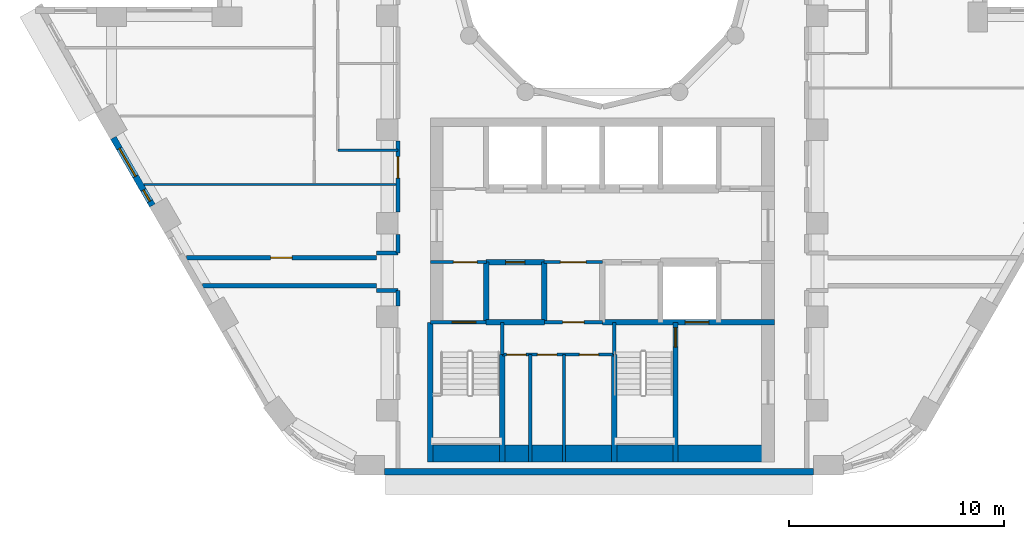
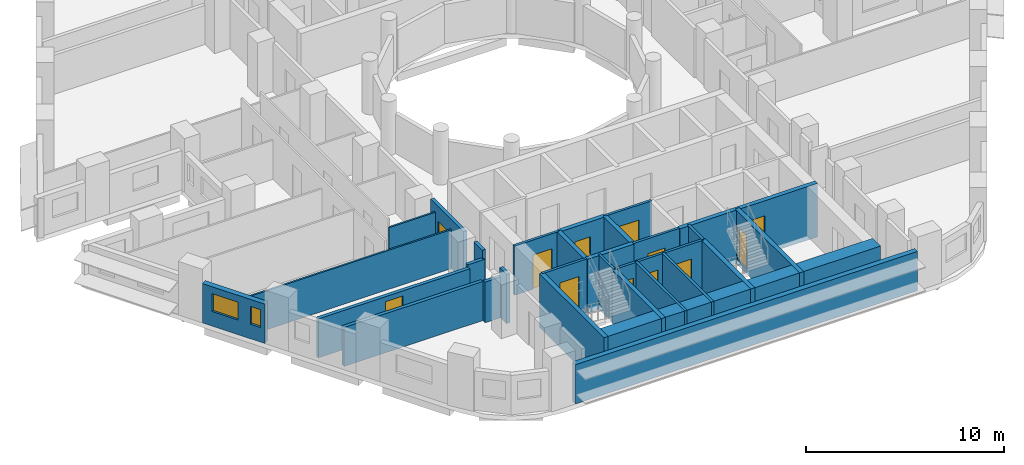
# One storey, part 3 of 12: 30 walls, 12 doors, 2 windows, 14 openings.
"""IFC4 building model written with IfcOpenShell, lengths in metres."""

from ifc_helpers import new_model, si_unit, direction, frame, frame_2d, origin, place, context, subcontext, project, spatial, rectangle, extrude, material, layer, layer_set, type_object, element, fill, save


model = new_model("IFC4")

# Units and contexts
model_context = context("Model", 3, precision=1e-05, world=origin(), true_north=direction((0.0, 1.0)))
body_context = subcontext(model_context, "Body", "Model", "MODEL_VIEW")
ifc_project = project(units=[si_unit("LENGTHUNIT", "METRE"), si_unit("AREAUNIT", "SQUARE_METRE"), si_unit("VOLUMEUNIT", "CUBIC_METRE"), si_unit("PLANEANGLEUNIT", "RADIAN"), si_unit("MASSUNIT", "GRAM", prefix="KILO")], contexts=[model_context])

# Site, building, storey
site_placement = place(None, origin())
site = spatial("IfcSite", under=ifc_project, at=site_placement, CompositionType="ELEMENT")
building_placement = place(site_placement, origin())
building = spatial("IfcBuilding", under=site, at=building_placement, Name="Nakaniwa Court", CompositionType="ELEMENT")
storey_placement = place(building_placement, frame((0.0, 0.0, 94.199951171875)))
storey = spatial("IfcBuildingStorey", under=building, at=storey_placement, Name="L24", CompositionType="ELEMENT", Elevation=94.199951171875)

# Walls
ifc_material_1 = material(Name="Acoustic double stud partition")
ifc_layer_1 = layer(ifc_material_1, 0.199951171875)
ifc_layer_set_1 = layer_set([ifc_layer_1], Name="Acoustic double stud partition")
wall_type_1 = type_object("IfcWallType", Name="Acoustic double stud partition 200", PredefinedType="PARTITIONING", material=ifc_layer_set_1)
wall_1_placement = place(storey_placement, frame((61.4091796875, 64.800048828125, 0.0), z_axis=(0.0, 0.0, 1.0), x_axis=(1.0, 0.0, 0.0)))
element("IfcWall", 1, at=wall_1_placement, inside=storey, type_object=wall_type_1, Name="Partition PW-087", PredefinedType="PARTITIONING", context=body_context, shape_type="SweptSolid", body=[
    extrude(rectangle(XDim=8.0908203125, YDim=0.199951171875, at=frame_2d((4.04541015625, 0.0))), origin(), (0.0, 0.0, 1.0), 2.405029296875),
])
for number, where, z_axis, x_axis, name in (
    (2, (69.5, 64.574951171875, 0.0), (0.0, 0.0, 1.0), (1.0, 0.0, 0.0), "Partition PW-089"),
    (3, (69.5, 66.324951171875, 0.0), (0.0, 0.0, 1.0), (1.0, 0.0, 0.0), "Partition PW-091"),
):
    element("IfcWall", number, at=place(storey_placement, frame(where, z_axis=z_axis, x_axis=x_axis)), inside=storey, type_object=wall_type_1, Name=name, PredefinedType="PARTITIONING", context=body_context, shape_type="SweptSolid", body=[
        extrude(rectangle(XDim=1.0, YDim=0.199951171875, at=frame_2d((0.5, 0.0))), origin(), (0.0, 0.0, 1.0), 2.505126953125),
    ])

# Wall, opening, door
wall_2_placement = place(storey_placement, frame((60.65869140625, 66.10009765625, 0.0), z_axis=(0.0, 0.0, 1.0), x_axis=(1.0, 0.0, 0.0)))
wall_2 = element("IfcWall", 4, at=wall_2_placement, inside=storey, type_object=wall_type_1, Name="Partition PW-093", PredefinedType="PARTITIONING", context=body_context, shape_type="SweptSolid", body=[
    extrude(rectangle(XDim=8.84130859375, YDim=0.199951171875, at=frame_2d((4.420654296875, 0.0))), origin(), (0.0, 0.0, 1.0), 2.405029296875),
])
opening_1_placement = place(wall_2_placement, frame((3.9208984375, 0.0, 0.0)))
opening_1 = element("IfcOpeningElement", 5, at=opening_1_placement, cuts=wall_2, Name="Opening D-02-08", PredefinedType="OPENING", context=body_context, shape_type="SweptSolid", body=[
    extrude(rectangle(XDim=1.0, YDim=2.10009765625, at=frame_2d((0.5, 1.050048828125))), frame((0.0, 0.10986328125, 0.0), z_axis=(0.0, -1.0, 0.0), x_axis=(1.0, 0.0, 0.0)), (0.0, 0.0, 1.0), 0.219970703125),
])
ifc_material_2 = material(Name="Solid core timber door set, black veneer", Category="wood")
door_type_1 = type_object("IfcDoorType", Name="Internal door 1000", OperationType="NOTDEFINED", PredefinedType="DOOR", material=ifc_material_2)
door_1_placement = place(opening_1_placement, origin())
door_1 = element("IfcDoor", 6, at=door_1_placement, inside=storey, type_object=door_type_1, Name="Door D-02-08 L24-050", OperationType="SINGLE_SWING_LEFT", OverallHeight=2.10009765625, OverallWidth=1.0, PredefinedType="DOOR", context=body_context, shape_type="SweptSolid", body=[
    extrude(rectangle(XDim=1.0, YDim=2.10009765625, at=frame_2d((0.5, 1.050048828125))), frame((0.0, 0.02490234375, 0.0), z_axis=(0.0, -1.0, 0.0), x_axis=(1.0, 0.0, 0.0)), (0.0, 0.0, 1.0), 0.050048828125),
])
fill(opening_1, door_1)

# Walls
wall_3_placement = place(storey_placement, frame((70.5, 63.866943359375, 0.0), z_axis=(0.0, 0.0, 1.0), x_axis=(0.0, 1.0, 0.0)))
element("IfcWall", 7, at=wall_3_placement, inside=storey, type_object=wall_type_1, Name="Partition PW-097", PredefinedType="PARTITIONING", context=body_context, shape_type="SweptSolid", body=[
    extrude(rectangle(XDim=0.7109375, YDim=0.199951171875, at=frame_2d((0.35546875, 0.0))), origin(), (0.0, 0.0, 1.0), 3.025146484375),
])
wall_4_placement = place(storey_placement, frame((70.5, 66.322021484375, 0.0), z_axis=(0.0, 0.0, 1.0), x_axis=(0.0, 1.0, 0.0)))
element("IfcWall", 8, at=wall_4_placement, inside=storey, type_object=wall_type_1, Name="Partition PW-098", PredefinedType="PARTITIONING", context=body_context, shape_type="SweptSolid", body=[
    extrude(rectangle(XDim=0.861083984375, YDim=0.199951171875, at=frame_2d((0.4306640625, 0.0))), origin(), (0.0, 0.0, 1.0), 3.025146484375),
])

# Wall, opening, door
wall_5_placement = place(storey_placement, frame((70.5, 68.217041015625, 0.0), z_axis=(0.0, 0.0, 1.0), x_axis=(0.0, 1.0, 0.0)))
wall_5 = element("IfcWall", 9, at=wall_5_placement, inside=storey, type_object=wall_type_1, Name="Partition PW-099", PredefinedType="PARTITIONING", context=body_context, shape_type="SweptSolid", body=[
    extrude(rectangle(XDim=3.31591796875, YDim=0.199951171875, at=frame_2d((1.657958984375, 0.0))), origin(), (0.0, 0.0, 1.0), 3.025146484375),
])
opening_2_placement = place(wall_5_placement, frame((1.5830078125, 0.0, 0.0)))
opening_2 = element("IfcOpeningElement", 10, at=opening_2_placement, cuts=wall_5, Name="Opening D-01-03", PredefinedType="OPENING", context=body_context, shape_type="SweptSolid", body=[
    extrude(rectangle(XDim=1.0, YDim=2.10009765625, at=frame_2d((0.5, 1.050048828125))), frame((0.0, 0.10986328125, 0.0), z_axis=(0.0, -1.0, 0.0), x_axis=(1.0, 0.0, 0.0)), (0.0, 0.0, 1.0), 0.219970703125),
])
door_type_2 = type_object("IfcDoorType", Name="Flat entrance door 1000", OperationType="NOTDEFINED", PredefinedType="DOOR", material=ifc_material_2)
door_2_placement = place(opening_2_placement, origin())
door_2 = element("IfcDoor", 11, at=door_2_placement, inside=storey, type_object=door_type_2, Name="Door D-01-03 L24-039", OperationType="SINGLE_SWING_RIGHT", OverallHeight=2.10009765625, OverallWidth=1.0, PredefinedType="DOOR", context=body_context, shape_type="SweptSolid", body=[
    extrude(rectangle(XDim=1.0, YDim=2.10009765625, at=frame_2d((0.5, 1.050048828125))), frame((0.0, 0.02490234375, 0.0), z_axis=(0.0, -1.0, 0.0), x_axis=(1.0, 0.0, 0.0)), (0.0, 0.0, 1.0), 0.050048828125),
])
fill(opening_2, door_2)

# Wall, openings, windows
ifc_material_3 = material(Name="Charcoal ceramic cladding")
ifc_layer_2 = layer(ifc_material_3, 0.02, Name="Ceramic cladding")
ifc_material_4 = material(Name="Ventilated air cavity")
ifc_layer_3 = layer(ifc_material_4, 0.04, ventilated=True, Name="Ventilated cavity")
ifc_material_5 = material(Name="Mineral wool insulation")
ifc_layer_4 = layer(ifc_material_5, 0.1, Name="Insulation")
ifc_material_6 = material(Name="Cement bonded sheathing board")
ifc_layer_5 = layer(ifc_material_6, 0.012, Name="Sheathing")
ifc_material_7 = material(Name="Cold-formed galvanised stud frame with mineral wool infill")
ifc_layer_6 = layer(ifc_material_7, 0.1, Name="Stud frame")
ifc_material_8 = material(Name="Fire-rated gypsum plasterboard lining")
ifc_layer_7 = layer(ifc_material_8, 0.028, Name="Lining")
ifc_layer_set_2 = layer_set([ifc_layer_2, ifc_layer_3, ifc_layer_4, ifc_layer_5, ifc_layer_6, ifc_layer_7], Name="Charcoal ceramic faced external wall system")
wall_type_2 = type_object("IfcWallType", Name="Black ceramic faced external wall 300", PredefinedType="SOLIDWALL", material=ifc_layer_set_2)
wall_6_placement = place(storey_placement, frame((57.265380859375, 71.677490234375, 0.0), z_axis=(0.0, 0.0, 1.0), x_axis=(0.500009139881, -0.866020126807, 0.0)))
wall_6 = element("IfcWall", 12, at=wall_6_placement, inside=storey, type_object=wall_type_2, Name="L24 external wall 21", PredefinedType="SOLIDWALL", context=body_context, shape_type="SweptSolid", body=[
    extrude(rectangle(XDim=3.63671875, YDim=0.300048828125, at=frame_2d((1.818359375, 0.0))), origin(), (0.0, 0.0, 1.0), 2.425048828125),
])
opening_3_placement = place(wall_6_placement, frame((0.568359375, 0.0, 0.89990234375)))
opening_3 = element("IfcOpeningElement", 13, at=opening_3_placement, cuts=wall_6, Name="Opening W5.25", PredefinedType="OPENING", context=body_context, shape_type="SweptSolid", body=[
    extrude(rectangle(XDim=1.5, YDim=1.10009765625, at=frame_2d((0.75, 0.550048828125))), frame((0.0, 0.159912109375, 0.0), z_axis=(0.0, -1.0, 0.0), x_axis=(1.0, 0.0, 0.0)), (0.0, 0.0, 1.0), 0.320068359375),
])
opening_4_placement = place(wall_6_placement, frame((2.7998046875, 0.0, 0.89990234375)))
opening_4 = element("IfcOpeningElement", 14, at=opening_4_placement, cuts=wall_6, Name="Opening W8.26", PredefinedType="OPENING", context=body_context, shape_type="SweptSolid", body=[
    extrude(rectangle(XDim=0.60009765625, YDim=1.10009765625, at=frame_2d((0.300048828125, 0.550048828125))), frame((0.0, 0.159912109375, 0.0), z_axis=(0.0, -1.0, 0.0), x_axis=(1.0, 0.0, 0.0)), (0.0, 0.0, 1.0), 0.320068359375),
])
ifc_material_9 = material(Name="Black anodised aluminium frame with dark low-E laminated double glazing", Category="aluminium")
window_type_1 = type_object("IfcWindowType", Name="Dark glass window 1500x1100 sill 900", PartitioningType="SINGLE_PANEL", PredefinedType="WINDOW", material=ifc_material_9)
window_1_placement = place(opening_3_placement, origin())
window_1 = element("IfcWindow", 15, at=window_1_placement, inside=storey, type_object=window_type_1, Name="L24 bedroom window 21-0", OverallHeight=1.10009765625, OverallWidth=1.5, PartitioningType="SINGLE_PANEL", PredefinedType="WINDOW", context=body_context, shape_type="SweptSolid", body=[
    extrude(rectangle(XDim=1.5, YDim=1.10009765625, at=frame_2d((0.75, 0.550048828125))), frame((0.0, 0.030029296875, 0.0), z_axis=(0.0, -1.0, 0.0), x_axis=(1.0, 0.0, 0.0)), (0.0, 0.0, 1.0), 0.06005859375),
])
fill(opening_3, window_1)
window_type_2 = type_object("IfcWindowType", Name="Dark glass window 600x1100 sill 900", PartitioningType="SINGLE_PANEL", PredefinedType="WINDOW", material=ifc_material_9)
window_2_placement = place(opening_4_placement, origin())
window_2 = element("IfcWindow", 16, at=window_2_placement, inside=storey, type_object=window_type_2, Name="L24 habitable room window 21-1", OverallHeight=1.10009765625, OverallWidth=0.60009765625, PartitioningType="SINGLE_PANEL", PredefinedType="WINDOW", context=body_context, shape_type="SweptSolid", body=[
    extrude(rectangle(XDim=0.60009765625, YDim=1.10009765625, at=frame_2d((0.300048828125, 0.550048828125))), frame((0.0, 0.030029296875, 0.0), z_axis=(0.0, -1.0, 0.0), x_axis=(1.0, 0.0, 0.0)), (0.0, 0.0, 1.0), 0.06005859375),
])
fill(opening_4, window_2)

# Wall
wall_7_placement = place(storey_placement, frame((69.871337890625, 56.14990234375, 0.0), z_axis=(0.0, 0.0, 1.0), x_axis=(1.0, 0.0, 0.0)))
element("IfcWall", 17, at=wall_7_placement, inside=storey, type_object=wall_type_2, Name="L24 external wall 26", PredefinedType="SOLIDWALL", context=body_context, shape_type="SweptSolid", body=[
    extrude(rectangle(XDim=19.939697265625, YDim=0.300048828125, at=frame_2d((9.9697265625, 0.0))), origin(), (0.0, 0.0, 1.0), 2.425048828125),
])

# Wall, opening, door
ifc_material_10 = material(Name="Blockwork partition", Category="masonry")
ifc_layer_8 = layer(ifc_material_10, 0.14990234375)
ifc_layer_set_3 = layer_set([ifc_layer_8], Name="Blockwork partition")
wall_type_3 = type_object("IfcWallType", Name="Blockwork partition 150", PredefinedType="PARTITIONING", material=ifc_layer_set_3)
wall_8_placement = place(storey_placement, frame((74.60302734375, 65.89990234375, 0.0), z_axis=(0.0, 0.0, 1.0), x_axis=(-1.0, 0.0, 0.0)))
wall_8 = element("IfcWall", 18, at=wall_8_placement, inside=storey, type_object=wall_type_3, Name="Partition PW-050", PredefinedType="PARTITIONING", context=body_context, shape_type="SweptSolid", body=[
    extrude(rectangle(XDim=2.60302734375, YDim=0.14990234375, at=frame_2d((1.301513671875, 0.0))), origin(), (0.0, 0.0, 1.0), 3.025146484375),
])
opening_5_placement = place(wall_8_placement, frame((0.427978515625, 0.0, 0.0)))
opening_5 = element("IfcOpeningElement", 19, at=opening_5_placement, cuts=wall_8, Name="Opening D-08-02", PredefinedType="OPENING", context=body_context, shape_type="SweptSolid", body=[
    extrude(rectangle(XDim=1.10009765625, YDim=2.10009765625, at=frame_2d((0.550048828125, 1.050048828125))), frame((0.0, 0.0849609375, 0.0), z_axis=(0.0, -1.0, 0.0), x_axis=(1.0, 0.0, 0.0)), (0.0, 0.0, 1.0), 0.169921875),
])
ifc_material_11 = material(Name="Fire rated steel door set", Category="steel")
door_type_3 = type_object("IfcDoorType", Name="Stair lobby door 1100", OperationType="NOTDEFINED", PredefinedType="DOOR", material=ifc_material_11)
door_3_placement = place(opening_5_placement, origin())
door_3 = element("IfcDoor", 20, at=door_3_placement, inside=storey, type_object=door_type_3, Name="Door D-08-02 L24-016", OperationType="SINGLE_SWING_LEFT", OverallHeight=2.10009765625, OverallWidth=1.10009765625, PredefinedType="DOOR", context=body_context, shape_type="SweptSolid", body=[
    extrude(rectangle(XDim=1.10009765625, YDim=2.10009765625, at=frame_2d((0.550048828125, 1.050048828125))), frame((0.0, 0.02490234375, 0.0), z_axis=(0.0, -1.0, 0.0), x_axis=(1.0, 0.0, 0.0)), (0.0, 0.0, 1.0), 0.050048828125),
])
fill(opening_5, door_3)

wall_9_placement = place(storey_placement, frame((80.0029296875, 65.89990234375, 0.0), z_axis=(0.0, 0.0, 1.0), x_axis=(-1.0, 0.0, 0.0)))
wall_9 = element("IfcWall", 21, at=wall_9_placement, inside=storey, type_object=wall_type_3, Name="Partition PW-051", PredefinedType="PARTITIONING", context=body_context, shape_type="SweptSolid", body=[
    extrude(rectangle(XDim=2.705810546875, YDim=0.14990234375, at=frame_2d((1.35302734375, 0.0))), origin(), (0.0, 0.0, 1.0), 3.025146484375),
])
opening_6_placement = place(wall_9_placement, frame((0.7529296875, 0.0, 0.0)))
opening_6 = element("IfcOpeningElement", 22, at=opening_6_placement, cuts=wall_9, Name="Opening D-06-02", PredefinedType="OPENING", context=body_context, shape_type="SweptSolid", body=[
    extrude(rectangle(XDim=1.199951171875, YDim=2.10009765625, at=frame_2d((0.60009765625, 1.050048828125))), frame((0.0, 0.0849609375, 0.0), z_axis=(0.0, -1.0, 0.0), x_axis=(1.0, 0.0, 0.0)), (0.0, 0.0, 1.0), 0.169921875),
])
ifc_material_12 = material(Name="Fire rated steel double door set", Category="steel")
door_type_4 = type_object("IfcDoorType", Name="Service passage double door 1200", OperationType="NOTDEFINED", PredefinedType="DOOR", material=ifc_material_12)
door_4_placement = place(opening_6_placement, origin())
door_4 = element("IfcDoor", 23, at=door_4_placement, inside=storey, type_object=door_type_4, Name="Door D-06-02 L24-018", OperationType="DOUBLE_DOOR_SINGLE_SWING", OverallHeight=2.10009765625, OverallWidth=1.199951171875, PredefinedType="DOOR", context=body_context, shape_type="SweptSolid", body=[
    extrude(rectangle(XDim=1.199951171875, YDim=2.10009765625, at=frame_2d((0.60009765625, 1.050048828125))), frame((0.0, 0.02490234375, 0.0), z_axis=(0.0, -1.0, 0.0), x_axis=(1.0, 0.0, 0.0)), (0.0, 0.0, 1.0), 0.050048828125),
])
fill(opening_6, door_4)

wall_10_placement = place(storey_placement, frame((80.0, 63.10009765625, 0.0), z_axis=(0.0, 0.0, 1.0), x_axis=(-1.0, 0.0, 0.0)))
wall_10 = element("IfcWall", 24, at=wall_10_placement, inside=storey, type_object=wall_type_3, Name="Partition PW-059", PredefinedType="PARTITIONING", context=body_context, shape_type="SweptSolid", body=[
    extrude(rectangle(XDim=2.699951171875, YDim=0.14990234375, at=frame_2d((1.35009765625, 0.0))), origin(), (0.0, 0.0, 1.0), 3.025146484375),
])
opening_7_placement = place(wall_10_placement, frame((0.85009765625, 0.0, 0.0)))
opening_7 = element("IfcOpeningElement", 25, at=opening_7_placement, cuts=wall_10, Name="Opening D-23-02", PredefinedType="OPENING", context=body_context, shape_type="SweptSolid", body=[
    extrude(rectangle(XDim=1.0, YDim=2.10009765625, at=frame_2d((0.5, 1.050048828125))), frame((0.0, 0.0849609375, 0.0), z_axis=(0.0, -1.0, 0.0), x_axis=(1.0, 0.0, 0.0)), (0.0, 0.0, 1.0), 0.169921875),
])
door_type_5 = type_object("IfcDoorType", Name="Service room door 1000", OperationType="NOTDEFINED", PredefinedType="DOOR", material=ifc_material_11)
door_5_placement = place(opening_7_placement, origin())
door_5 = element("IfcDoor", 26, at=door_5_placement, inside=storey, type_object=door_type_5, Name="Door D-23-02 L24-021", OperationType="SINGLE_SWING_RIGHT", OverallHeight=2.10009765625, OverallWidth=1.0, PredefinedType="DOOR", context=body_context, shape_type="SweptSolid", body=[
    extrude(rectangle(XDim=1.0, YDim=2.10009765625, at=frame_2d((0.5, 1.050048828125))), frame((0.0, 0.02490234375, 0.0), z_axis=(0.0, -1.0, 0.0), x_axis=(1.0, 0.0, 0.0)), (0.0, 0.0, 1.0), 0.050048828125),
])
fill(opening_7, door_5)

# Wall, openings, doors
wall_11_placement = place(storey_placement, frame((80.550048828125, 61.60009765625, 0.0), z_axis=(0.0, 0.0, 1.0), x_axis=(-1.0, 0.0, 0.0)))
wall_11 = element("IfcWall", 27, at=wall_11_placement, inside=storey, type_object=wall_type_3, Name="Partition PW-066", PredefinedType="PARTITIONING", context=body_context, shape_type="SweptSolid", body=[
    extrude(rectangle(XDim=5.199951171875, YDim=0.14990234375, at=frame_2d((2.60009765625, 0.0))), origin(), (0.0, 0.0, 1.0), 3.025146484375),
])
opening_8_placement = place(wall_11_placement, frame((4.10009765625, 0.0, 0.0)))
opening_8 = element("IfcOpeningElement", 28, at=opening_8_placement, cuts=wall_11, Name="Opening D-05-14", PredefinedType="OPENING", context=body_context, shape_type="SweptSolid", body=[
    extrude(rectangle(XDim=0.89990234375, YDim=2.10009765625, at=frame_2d((0.449951171875, 1.050048828125))), frame((0.0, 0.0849609375, 0.0), z_axis=(0.0, -1.0, 0.0), x_axis=(1.0, 0.0, 0.0)), (0.0, 0.0, 1.0), 0.169921875),
])
opening_9_placement = place(wall_11_placement, frame((2.669921875, 0.0, 0.0)))
opening_9 = element("IfcOpeningElement", 29, at=opening_9_placement, cuts=wall_11, Name="Opening D-05-15", PredefinedType="OPENING", context=body_context, shape_type="SweptSolid", body=[
    extrude(rectangle(XDim=0.89990234375, YDim=2.10009765625, at=frame_2d((0.449951171875, 1.050048828125))), frame((0.0, 0.0849609375, 0.0), z_axis=(0.0, -1.0, 0.0), x_axis=(1.0, 0.0, 0.0)), (0.0, 0.0, 1.0), 0.169921875),
])
opening_10_placement = place(wall_11_placement, frame((0.719970703125, 0.0, 0.0)))
opening_10 = element("IfcOpeningElement", 30, at=opening_10_placement, cuts=wall_11, Name="Opening D-05-16", PredefinedType="OPENING", context=body_context, shape_type="SweptSolid", body=[
    extrude(rectangle(XDim=0.89990234375, YDim=2.10009765625, at=frame_2d((0.449951171875, 1.050048828125))), frame((0.0, 0.0849609375, 0.0), z_axis=(0.0, -1.0, 0.0), x_axis=(1.0, 0.0, 0.0)), (0.0, 0.0, 1.0), 0.169921875),
])
door_type_6 = type_object("IfcDoorType", Name="Service room door 900", OperationType="NOTDEFINED", PredefinedType="DOOR", material=ifc_material_11)
door_6_placement = place(opening_8_placement, origin())
door_6 = element("IfcDoor", 31, at=door_6_placement, inside=storey, type_object=door_type_6, Name="Door D-05-14 L24-022", OperationType="SINGLE_SWING_LEFT", OverallHeight=2.10009765625, OverallWidth=0.89990234375, PredefinedType="DOOR", context=body_context, shape_type="SweptSolid", body=[
    extrude(rectangle(XDim=0.89990234375, YDim=2.10009765625, at=frame_2d((0.449951171875, 1.050048828125))), frame((0.0, 0.02490234375, 0.0), z_axis=(0.0, -1.0, 0.0), x_axis=(1.0, 0.0, 0.0)), (0.0, 0.0, 1.0), 0.050048828125),
])
fill(opening_8, door_6)
door_7_placement = place(opening_9_placement, origin())
door_7 = element("IfcDoor", 32, at=door_7_placement, inside=storey, type_object=door_type_6, Name="Door D-05-15 L24-023", OperationType="SINGLE_SWING_RIGHT", OverallHeight=2.10009765625, OverallWidth=0.89990234375, PredefinedType="DOOR", context=body_context, shape_type="SweptSolid", body=[
    extrude(rectangle(XDim=0.89990234375, YDim=2.10009765625, at=frame_2d((0.449951171875, 1.050048828125))), frame((0.0, 0.02490234375, 0.0), z_axis=(0.0, -1.0, 0.0), x_axis=(1.0, 0.0, 0.0)), (0.0, 0.0, 1.0), 0.050048828125),
])
fill(opening_9, door_7)
door_8_placement = place(opening_10_placement, origin())
door_8 = element("IfcDoor", 33, at=door_8_placement, inside=storey, type_object=door_type_6, Name="Door D-05-16 L24-024", OperationType="SINGLE_SWING_LEFT", OverallHeight=2.10009765625, OverallWidth=0.89990234375, PredefinedType="DOOR", context=body_context, shape_type="SweptSolid", body=[
    extrude(rectangle(XDim=0.89990234375, YDim=2.10009765625, at=frame_2d((0.449951171875, 1.050048828125))), frame((0.0, 0.02490234375, 0.0), z_axis=(0.0, -1.0, 0.0), x_axis=(1.0, 0.0, 0.0)), (0.0, 0.0, 1.0), 0.050048828125),
])
fill(opening_10, door_8)

# Walls
for number, where, z_axis, x_axis, name in (
    (34, (76.64990234375, 56.60009765625, 0.0), (0.0, 0.0, 1.0), (0.0, 1.0, 0.0), "Partition PW-067"),
    (35, (78.2099609375, 56.60009765625, 0.0), (0.0, 0.0, 1.0), (0.0, 1.0, 0.0), "Partition PW-068"),
):
    element("IfcWall", number, at=place(storey_placement, frame(where, z_axis=z_axis, x_axis=x_axis)), inside=storey, type_object=wall_type_3, Name=name, PredefinedType="PARTITIONING", context=body_context, shape_type="SweptSolid", body=[
        extrude(rectangle(XDim=5.0, YDim=0.14990234375, at=frame_2d((2.5, 0.0))), origin(), (0.0, 0.0, 1.0), 3.025146484375),
    ])

# Wall, opening, door
ifc_material_13 = material(Name="Concrete C80/100", Category="concrete")
ifc_layer_9 = layer(ifc_material_13, 0.14990234375)
ifc_layer_set_4 = layer_set([ifc_layer_9], Name="Concrete C80/100")
wall_type_4 = type_object("IfcWallType", Name="Concrete core wall 150 C80", PredefinedType="SHEAR", material=ifc_layer_set_4)
wall_12_placement = place(storey_placement, frame((72.0, 63.10009765625, -0.27490234375), z_axis=(0.0, 0.0, 1.0), x_axis=(1.0, 0.0, 0.0)))
wall_12 = element("IfcWall", 36, at=wall_12_placement, inside=storey, type_object=wall_type_4, Name="Core wall SW-56", PredefinedType="SHEAR", context=body_context, shape_type="SweptSolid", body=[
    extrude(rectangle(XDim=2.60009765625, YDim=0.14990234375, at=frame_2d((1.300048828125, 0.0))), origin(), (0.0, 0.0, 1.0), 3.300048828125),
])
opening_11_placement = place(wall_12_placement, frame((1.02001953125, 0.0, 0.27490234375)))
opening_11 = element("IfcOpeningElement", 37, at=opening_11_placement, cuts=wall_12, Name="Opening D-09-02", PredefinedType="OPENING", context=body_context, shape_type="SweptSolid", body=[
    extrude(rectangle(XDim=1.10009765625, YDim=2.10009765625, at=frame_2d((0.550048828125, 1.050048828125))), frame((0.0, 0.0849609375, 0.0), z_axis=(0.0, -1.0, 0.0), x_axis=(1.0, 0.0, 0.0)), (0.0, 0.0, 1.0), 0.169921875),
])
door_type_7 = type_object("IfcDoorType", Name="Stair door 1100", OperationType="NOTDEFINED", PredefinedType="DOOR", material=ifc_material_11)
door_9_placement = place(opening_11_placement, origin())
door_9 = element("IfcDoor", 38, at=door_9_placement, inside=storey, type_object=door_type_7, Name="Door D-09-02 L24-025", OperationType="SINGLE_SWING_LEFT", OverallHeight=2.10009765625, OverallWidth=1.10009765625, PredefinedType="DOOR", context=body_context, shape_type="SweptSolid", body=[
    extrude(rectangle(XDim=1.10009765625, YDim=2.10009765625, at=frame_2d((0.550048828125, 1.050048828125))), frame((0.0, 0.02490234375, 0.0), z_axis=(0.0, -1.0, 0.0), x_axis=(1.0, 0.0, 0.0)), (0.0, 0.0, 1.0), 0.050048828125),
])
fill(opening_11, door_9)

# Walls
for number, where, z_axis, x_axis, name in (
    (39, (75.35009765625, 61.596923828125, -0.27490234375), (0.0, 0.0, 1.0), (0.0, 1.0, 0.0), "Core wall SW-60"),
    (40, (80.550048828125, 61.596923828125, -0.27490234375), (0.0, 0.0, 1.0), (0.0, 1.0, 0.0), "Core wall SW-64"),
):
    element("IfcWall", number, at=place(storey_placement, frame(where, z_axis=z_axis, x_axis=x_axis)), inside=storey, type_object=wall_type_4, Name=name, PredefinedType="SHEAR", context=body_context, shape_type="SweptSolid", body=[
        extrude(rectangle(XDim=1.503173828125, YDim=0.14990234375, at=frame_2d((0.75146484375, 0.0))), origin(), (0.0, 0.0, 1.0), 3.300048828125),
    ])
ifc_layer_10 = layer(ifc_material_13, 0.25)
ifc_layer_set_5 = layer_set([ifc_layer_10], Name="Concrete C80/100")
wall_type_5 = type_object("IfcWallType", Name="Concrete core wall 250 C80", PredefinedType="SHEAR", material=ifc_layer_set_5)
wall_13_placement = place(storey_placement, frame((72.0, 56.60009765625, -0.27490234375), z_axis=(0.0, 0.0, 1.0), x_axis=(0.0, 1.0, 0.0)))
element("IfcWall", 41, at=wall_13_placement, inside=storey, type_object=wall_type_5, Name="Core wall SW-62", PredefinedType="SHEAR", context=body_context, shape_type="SweptSolid", body=[
    extrude(rectangle(XDim=6.5, YDim=0.25, at=frame_2d((3.25, 0.0))), origin(), (0.0, 0.0, 1.0), 3.300048828125),
])
ifc_layer_11 = layer(ifc_material_13, 0.800048828125)
ifc_layer_set_6 = layer_set([ifc_layer_11], Name="Concrete C80/100")
wall_type_6 = type_object("IfcWallType", Name="Concrete core wall 800 C80", PredefinedType="SHEAR", material=ifc_layer_set_6)
wall_14_placement = place(storey_placement, frame((72.00390625, 57.0, -0.27490234375), z_axis=(0.0, 0.0, 1.0), x_axis=(1.0, 0.0, 0.0)))
element("IfcWall", 42, at=wall_14_placement, inside=storey, type_object=wall_type_6, Name="Core wall SW-129", PredefinedType="SHEAR", context=body_context, shape_type="SweptSolid", body=[
    extrude(rectangle(XDim=15.9921875, YDim=0.800048828125, at=frame_2d((7.99609375, 0.0))), origin(), (0.0, 0.0, 1.0), 3.300048828125),
])
ifc_layer_12 = layer(ifc_material_13, 0.25)
ifc_layer_set_7 = layer_set([ifc_layer_12], Name="Concrete C80/100")
wall_type_7 = type_object("IfcWallType", Name="Concrete shaft wall 250 C80", PredefinedType="SHEAR", material=ifc_layer_set_7)
for number, where, z_axis, x_axis, name in (
    (43, (74.60009765625, 63.10009765625, -0.27490234375), (0.0, 0.0, 1.0), (0.0, 1.0, 0.0), "Core wall SW-35"),
    (44, (77.300048828125, 63.10009765625, -0.27490234375), (0.0, 0.0, 1.0), (0.0, 1.0, 0.0), "Core wall SW-39"),
):
    element("IfcWall", number, at=place(storey_placement, frame(where, z_axis=z_axis, x_axis=x_axis)), inside=storey, type_object=wall_type_7, Name=name, PredefinedType="SHEAR", context=body_context, shape_type="SweptSolid", body=[
        extrude(rectangle(XDim=2.7998046875, YDim=0.25, at=frame_2d((1.39990234375, 0.0))), origin(), (0.0, 0.0, 1.0), 3.300048828125),
    ])

# Wall, opening, door
wall_15_placement = place(storey_placement, frame((77.302978515625, 65.89990234375, -0.27490234375), z_axis=(0.0, 0.0, 1.0), x_axis=(-1.0, 0.0, 0.0)))
wall_15 = element("IfcWall", 45, at=wall_15_placement, inside=storey, type_object=wall_type_7, Name="Core wall SW-53", PredefinedType="SHEAR", context=body_context, shape_type="SweptSolid", body=[
    extrude(rectangle(XDim=2.7060546875, YDim=0.25, at=frame_2d((1.35302734375, 0.0))), origin(), (0.0, 0.0, 1.0), 3.300048828125),
])
opening_12_placement = place(wall_15_placement, frame((0.903076171875, 0.0, 0.27490234375)))
opening_12 = element("IfcOpeningElement", 46, at=opening_12_placement, cuts=wall_15, Name="Opening D-05-11", PredefinedType="OPENING", context=body_context, shape_type="SweptSolid", body=[
    extrude(rectangle(XDim=0.89990234375, YDim=2.10009765625, at=frame_2d((0.449951171875, 1.050048828125))), frame((0.0, 0.135009765625, 0.0), z_axis=(0.0, -1.0, 0.0), x_axis=(1.0, 0.0, 0.0)), (0.0, 0.0, 1.0), 0.27001953125),
])
door_10_placement = place(opening_12_placement, origin())
door_10 = element("IfcDoor", 47, at=door_10_placement, inside=storey, type_object=door_type_6, Name="Door D-05-11 L24-017", OperationType="SINGLE_SWING_RIGHT", OverallHeight=2.10009765625, OverallWidth=0.89990234375, PredefinedType="DOOR", context=body_context, shape_type="SweptSolid", body=[
    extrude(rectangle(XDim=0.89990234375, YDim=2.10009765625, at=frame_2d((0.449951171875, 1.050048828125))), frame((0.0, 0.02490234375, 0.0), z_axis=(0.0, -1.0, 0.0), x_axis=(1.0, 0.0, 0.0)), (0.0, 0.0, 1.0), 0.050048828125),
])
fill(opening_12, door_10)

# Wall
wall_16_placement = place(storey_placement, frame((74.60009765625, 63.10009765625, -0.27490234375), z_axis=(0.0, 0.0, 1.0), x_axis=(1.0, 0.0, 0.0)))
element("IfcWall", 48, at=wall_16_placement, inside=storey, type_object=wall_type_7, Name="Core wall SW-57", PredefinedType="SHEAR", context=body_context, shape_type="SweptSolid", body=[
    extrude(rectangle(XDim=2.699951171875, YDim=0.25, at=frame_2d((1.35009765625, 0.0))), origin(), (0.0, 0.0, 1.0), 3.300048828125),
])

# Wall, opening, door
wall_17_placement = place(storey_placement, frame((80.0, 63.10009765625, -0.27490234375), z_axis=(0.0, 0.0, 1.0), x_axis=(1.0, 0.0, 0.0)))
wall_17 = element("IfcWall", 49, at=wall_17_placement, inside=storey, type_object=wall_type_7, Name="Core wall SW-58", PredefinedType="SHEAR", context=body_context, shape_type="SweptSolid", body=[
    extrude(rectangle(XDim=8.0, YDim=0.25, at=frame_2d((4.0, 0.0))), origin(), (0.0, 0.0, 1.0), 3.300048828125),
])
opening_13_placement = place(wall_17_placement, frame((3.84912109375, 0.0, 0.27490234375)))
opening_13 = element("IfcOpeningElement", 50, at=opening_13_placement, cuts=wall_17, Name="Opening LD08", PredefinedType="OPENING", context=body_context, shape_type="SweptSolid", body=[
    extrude(rectangle(XDim=1.10009765625, YDim=2.10009765625, at=frame_2d((0.550048828125, 1.050048828125))), frame((0.0, 0.135009765625, 0.0), z_axis=(0.0, -1.0, 0.0), x_axis=(1.0, 0.0, 0.0)), (0.0, 0.0, 1.0), 0.27001953125),
])
ifc_material_14 = material(Name="Stainless steel sliding lift landing door", Category="steel")
door_type_8 = type_object("IfcDoorType", Name="Lift landing door 1100", OperationType="NOTDEFINED", PredefinedType="DOOR", material=ifc_material_14)
door_11_placement = place(opening_13_placement, origin())
door_11 = element("IfcDoor", 51, at=door_11_placement, inside=storey, type_object=door_type_8, Name="Lift landing door LD08 L24-008", OperationType="SLIDING_TO_LEFT", OverallHeight=2.10009765625, OverallWidth=1.10009765625, PredefinedType="DOOR", context=body_context, shape_type="SweptSolid", body=[
    extrude(rectangle(XDim=1.10009765625, YDim=2.10009765625, at=frame_2d((0.550048828125, 1.050048828125))), frame((0.0, 0.02490234375, 0.0), z_axis=(0.0, -1.0, 0.0), x_axis=(1.0, 0.0, 0.0)), (0.0, 0.0, 1.0), 0.050048828125),
])
fill(opening_13, door_11)

# Wall
wall_18_placement = place(storey_placement, frame((75.35009765625, 56.60009765625, -0.27490234375), z_axis=(0.0, 0.0, 1.0), x_axis=(0.0, 1.0, 0.0)))
element("IfcWall", 52, at=wall_18_placement, inside=storey, type_object=wall_type_7, Name="Core wall SW-61", PredefinedType="SHEAR", context=body_context, shape_type="SweptSolid", body=[
    extrude(rectangle(XDim=5.0029296875, YDim=0.25, at=frame_2d((2.50146484375, 0.0))), origin(), (0.0, 0.0, 1.0), 3.300048828125),
])

# Wall, opening, door
wall_19_placement = place(storey_placement, frame((83.39990234375, 63.10009765625, -0.27490234375), z_axis=(0.0, 0.0, 1.0), x_axis=(0.0, -1.0, 0.0)))
wall_19 = element("IfcWall", 53, at=wall_19_placement, inside=storey, type_object=wall_type_7, Name="Core wall SW-63", PredefinedType="SHEAR", context=body_context, shape_type="SweptSolid", body=[
    extrude(rectangle(XDim=6.5, YDim=0.25, at=frame_2d((3.25, 0.0))), origin(), (0.0, 0.0, 1.0), 3.300048828125),
])
opening_14_placement = place(wall_19_placement, frame((0.25, 0.0, 0.27490234375)))
opening_14 = element("IfcOpeningElement", 54, at=opening_14_placement, cuts=wall_19, Name="Opening D-11-02", PredefinedType="OPENING", context=body_context, shape_type="SweptSolid", body=[
    extrude(rectangle(XDim=0.89990234375, YDim=2.10009765625, at=frame_2d((0.449951171875, 1.050048828125))), frame((0.0, 0.135009765625, 0.0), z_axis=(0.0, -1.0, 0.0), x_axis=(1.0, 0.0, 0.0)), (0.0, 0.0, 1.0), 0.27001953125),
])
door_type_9 = type_object("IfcDoorType", Name="Stair door 900", OperationType="NOTDEFINED", PredefinedType="DOOR", material=ifc_material_11)
door_12_placement = place(opening_14_placement, origin())
door_12 = element("IfcDoor", 55, at=door_12_placement, inside=storey, type_object=door_type_9, Name="Door D-11-02 L24-026", OperationType="SINGLE_SWING_RIGHT", OverallHeight=2.10009765625, OverallWidth=0.89990234375, PredefinedType="DOOR", context=body_context, shape_type="SweptSolid", body=[
    extrude(rectangle(XDim=0.89990234375, YDim=2.10009765625, at=frame_2d((0.449951171875, 1.050048828125))), frame((0.0, 0.02490234375, 0.0), z_axis=(0.0, -1.0, 0.0), x_axis=(1.0, 0.0, 0.0)), (0.0, 0.0, 1.0), 0.050048828125),
])
fill(opening_14, door_12)

# Walls
wall_20_placement = place(storey_placement, frame((80.550048828125, 56.60009765625, -0.27490234375), z_axis=(0.0, 0.0, 1.0), x_axis=(0.0, 1.0, 0.0)))
element("IfcWall", 56, at=wall_20_placement, inside=storey, type_object=wall_type_7, Name="Core wall SW-65", PredefinedType="SHEAR", context=body_context, shape_type="SweptSolid", body=[
    extrude(rectangle(XDim=5.0029296875, YDim=0.25, at=frame_2d((2.50146484375, 0.0))), origin(), (0.0, 0.0, 1.0), 3.300048828125),
])
ifc_material_15 = material(Name="Single stud plasterboard partition")
ifc_layer_13 = layer(ifc_material_15, 0.10009765625)
ifc_layer_set_8 = layer_set([ifc_layer_13], Name="Single stud plasterboard partition")
wall_type_8 = type_object("IfcWallType", Name="Single stud plasterboard partition 100", PredefinedType="PARTITIONING", material=ifc_layer_set_8)
wall_21_placement = place(storey_placement, frame((67.699951171875, 71.10009765625, 0.0), z_axis=(0.0, 0.0, 1.0), x_axis=(1.0, 0.0, 0.0)))
element("IfcWall", 57, at=wall_21_placement, inside=storey, type_object=wall_type_8, Name="Partition PW-117", PredefinedType="PARTITIONING", context=body_context, shape_type="SweptSolid", body=[
    extrude(rectangle(XDim=2.800048828125, YDim=0.10009765625, at=frame_2d((1.39990234375, 0.0))), origin(), (0.0, 0.0, 1.0), 2.505126953125),
])
wall_22_placement = place(storey_placement, frame((58.69580078125, 69.5, 0.0), z_axis=(0.0, 0.0, 1.0), x_axis=(1.0, 0.0, 0.0)))
element("IfcWall", 58, at=wall_22_placement, inside=storey, type_object=wall_type_8, Name="Partition PW-122", PredefinedType="PARTITIONING", context=body_context, shape_type="SweptSolid", body=[
    extrude(rectangle(XDim=11.80419921875, YDim=0.10009765625, at=frame_2d((5.902099609375, 0.0))), origin(), (0.0, 0.0, 1.0), 2.405029296875),
])

save(model, "model.ifc")
